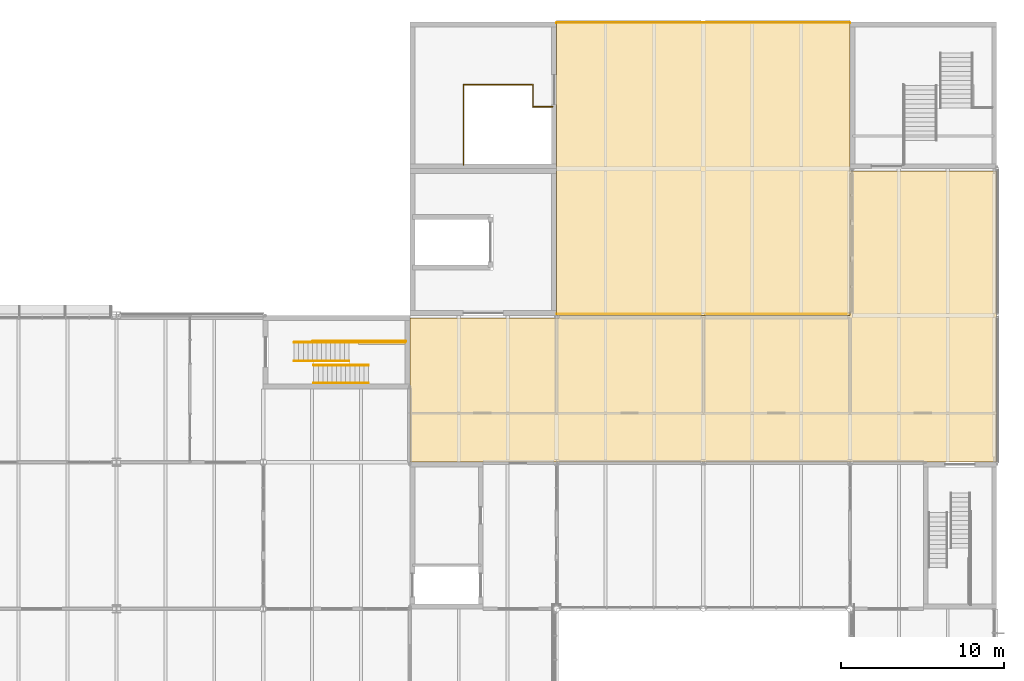
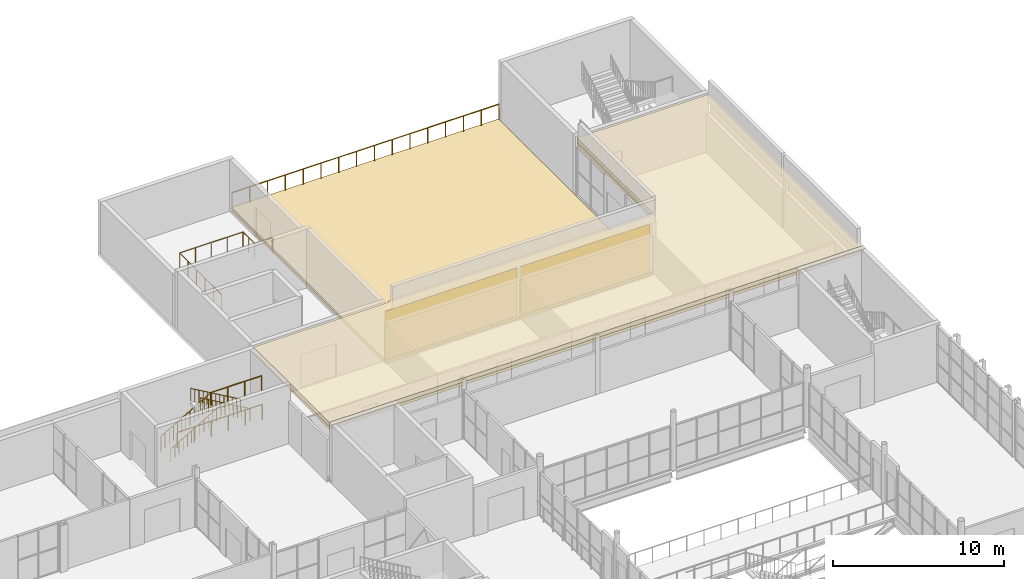
# One storey, part 60 of 61: 8 railings, 6 coverings.
"""IFC4 building model written with IfcOpenShell, lengths in metres."""

from ifc_helpers import new_model, si_unit, direction, frame, frame_2d, origin, origin_2d, place, context, subcontext, project, spatial, polyline, rectangle, circle, outline, extrude, material, layer, layer_set, type_object, element, save


model = new_model("IFC4")

# Units and contexts
model_context = context("Model", 3, precision=1e-05, world=origin(), true_north=direction((0.0, 1.0)))
body_context = subcontext(model_context, "Body", "Model", "MODEL_VIEW")
ifc_project = project(units=[si_unit("LENGTHUNIT", "METRE"), si_unit("AREAUNIT", "SQUARE_METRE"), si_unit("VOLUMEUNIT", "CUBIC_METRE"), si_unit("PLANEANGLEUNIT", "RADIAN"), si_unit("MASSUNIT", "GRAM", prefix="KILO")], contexts=[model_context])

# Site, building, storey
site_placement = place(None, origin())
site = spatial("IfcSite", under=ifc_project, at=site_placement, CompositionType="ELEMENT")
building_placement = place(site_placement, origin())
building = spatial("IfcBuilding", under=site, at=building_placement, Name="Halyard Row Museum", CompositionType="ELEMENT")
storey_placement = place(building_placement, frame((0.0, 0.0, 9.199951171875)))
storey = spatial("IfcBuildingStorey", under=building, at=storey_placement, Name="L02", CompositionType="ELEMENT", Elevation=9.199951171875)

# Railings
ifc_material_1 = material(Name="Steel Grade 300", Category="steel")
railing_type_1 = type_object("IfcRailingType", Name="Guard GR2 steel balustrade 1100", PredefinedType="GUARDRAIL", material=ifc_material_1)
railing_1_placement = place(storey_placement, frame((64.89990234375, 43.35009765625, 0.16162109375)))
element("IfcRailing", 1, at=railing_1_placement, inside=storey, type_object=railing_type_1, Name="Guard GR017", PredefinedType="GUARDRAIL", context=body_context, shape_type="SweptSolid", body=[
    extrude(circle(Radius=0.02392578125, at=origin_2d()), frame((0.0, 0.0, 1.076171875), z_axis=(0.86609757561, 0.0, 0.499874973892), x_axis=(0.0, 1.0, 0.0)), (0.0, 0.0, 1.0), 0.3232421875),
    extrude(circle(Radius=0.02392578125, at=origin_2d()), frame((0.280029296875, 0.0, 1.23779296875), z_axis=(0.866424426198, 0.0, 0.49930823515), x_axis=(0.0, 1.0, 0.0)), (0.0, 0.0, 1.0), 0.3232421875),
    extrude(circle(Radius=0.02392578125, at=origin_2d()), frame((0.56005859375, 0.0, 1.39892578125), z_axis=(0.86609757561, 0.0, 0.499874973892), x_axis=(0.0, 1.0, 0.0)), (0.0, 0.0, 1.0), 0.3232421875),
    extrude(circle(Radius=0.02392578125, at=origin_2d()), frame((0.840087890625, 0.0, 1.560546875), z_axis=(0.86609757561, 0.0, 0.499874973892), x_axis=(0.0, 1.0, 0.0)), (0.0, 0.0, 1.0), 0.3232421875),
    extrude(circle(Radius=0.02392578125, at=origin_2d()), frame((1.1201171875, 0.0, 1.72216796875), z_axis=(0.866424426198, 0.0, 0.49930823515), x_axis=(0.0, 1.0, 0.0)), (0.0, 0.0, 1.0), 0.3232421875),
    extrude(circle(Radius=0.02392578125, at=origin_2d()), frame((1.400146484375, 0.0, 1.8837890625), z_axis=(0.86609757561, 0.0, 0.499874973892), x_axis=(0.0, 1.0, 0.0)), (0.0, 0.0, 1.0), 0.3232421875),
    extrude(circle(Radius=0.02392578125, at=origin_2d()), frame((1.68017578125, 0.0, 2.04541015625), z_axis=(0.866424426198, 0.0, 0.49930823515), x_axis=(0.0, 1.0, 0.0)), (0.0, 0.0, 1.0), 0.3232421875),
    extrude(circle(Radius=0.02392578125, at=origin_2d()), frame((1.960205078125, 0.0, 2.20654296875), z_axis=(0.865908710228, 0.0, 0.500202064721), x_axis=(0.0, 1.0, 0.0)), (0.0, 0.0, 1.0), 0.322998046875),
    extrude(circle(Radius=0.02392578125, at=origin_2d()), frame((2.239990234375, 0.0, 2.3681640625), z_axis=(0.86609757561, 0.0, 0.499874973892), x_axis=(0.0, 1.0, 0.0)), (0.0, 0.0, 1.0), 0.3232421875),
    extrude(circle(Radius=0.02392578125, at=origin_2d()), frame((2.52001953125, 0.0, 2.52978515625), z_axis=(0.866424426198, 0.0, 0.49930823515), x_axis=(0.0, 1.0, 0.0)), (0.0, 0.0, 1.0), 0.3232421875),
    extrude(circle(Radius=0.02392578125, at=origin_2d()), frame((2.800048828125, 0.0, 2.69140625), z_axis=(0.86609757561, 0.0, 0.499874973892), x_axis=(0.0, 1.0, 0.0)), (0.0, 0.0, 1.0), 0.3232421875),
    extrude(circle(Radius=0.02392578125, at=origin_2d()), frame((3.080078125, 0.0, 2.85302734375), z_axis=(0.86609757561, 0.0, 0.499874973892), x_axis=(0.0, 1.0, 0.0)), (0.0, 0.0, 1.0), 0.3232421875),
    extrude(circle(Radius=0.02099609375, at=origin_2d()), origin(), (0.0, 0.0, 1.0), 1.052001953125),
    extrude(circle(Radius=0.02099609375, at=origin_2d()), frame((0.280029296875, 0.0, 0.16162109375)), (0.0, 0.0, 1.0), 1.052001953125),
    extrude(circle(Radius=0.02099609375, at=origin_2d()), frame((0.56005859375, 0.0, 0.322998046875)), (0.0, 0.0, 1.0), 1.052001953125),
    extrude(circle(Radius=0.02099609375, at=origin_2d()), frame((0.840087890625, 0.0, 0.484619140625)), (0.0, 0.0, 1.0), 1.052001953125),
    extrude(circle(Radius=0.02099609375, at=origin_2d()), frame((1.1201171875, 0.0, 0.646240234375)), (0.0, 0.0, 1.0), 1.052001953125),
    extrude(circle(Radius=0.02099609375, at=origin_2d()), frame((1.400146484375, 0.0, 0.8076171875)), (0.0, 0.0, 1.0), 1.052001953125),
    extrude(circle(Radius=0.02099609375, at=origin_2d()), frame((1.68017578125, 0.0, 0.96923828125)), (0.0, 0.0, 1.0), 1.052001953125),
    extrude(circle(Radius=0.02099609375, at=origin_2d()), frame((1.960205078125, 0.0, 1.130615234375)), (0.0, 0.0, 1.0), 1.052001953125),
    extrude(circle(Radius=0.02099609375, at=origin_2d()), frame((2.239990234375, 0.0, 1.292236328125)), (0.0, 0.0, 1.0), 1.052001953125),
    extrude(circle(Radius=0.02099609375, at=origin_2d()), frame((2.52001953125, 0.0, 1.453857421875)), (0.0, 0.0, 1.0), 1.052001953125),
    extrude(circle(Radius=0.02099609375, at=origin_2d()), frame((2.800048828125, 0.0, 1.615234375)), (0.0, 0.0, 1.0), 1.052001953125),
    extrude(circle(Radius=0.02099609375, at=origin_2d()), frame((3.080078125, 0.0, 1.77685546875)), (0.0, 0.0, 1.0), 1.052001953125),
    extrude(circle(Radius=0.02099609375, at=origin_2d()), frame((3.360107421875, 0.0, 1.9384765625)), (0.0, 0.0, 1.0), 1.052001953125),
])
railing_2_placement = place(storey_placement, frame((68.260009765625, 43.35009765625, 2.10009765625)))
element("IfcRailing", 2, at=railing_2_placement, inside=storey, type_object=railing_type_1, Name="Guard GR018", PredefinedType="GUARDRAIL", context=body_context, shape_type="SweptSolid", body=[
    extrude(circle(Radius=0.02392578125, at=origin_2d()), frame((0.0, 0.0, 1.076171875), z_axis=(1.0, 0.0, 0.0), x_axis=(0.0, 1.0, 0.0)), (0.0, 0.0, 1.0), 3.43994140625),
    extrude(circle(Radius=0.02099609375, at=origin_2d()), origin(), (0.0, 0.0, 1.0), 1.052001953125),
    extrude(circle(Radius=0.02099609375, at=origin_2d()), frame((1.146728515625, 0.0, 0.0)), (0.0, 0.0, 1.0), 1.052001953125),
    extrude(circle(Radius=0.02099609375, at=origin_2d()), frame((2.293212890625, 0.0, 0.0)), (0.0, 0.0, 1.0), 1.052001953125),
    extrude(circle(Radius=0.02099609375, at=origin_2d()), frame((3.43994140625, 0.0, 0.0)), (0.0, 0.0, 1.0), 1.052001953125),
])
railing_3_placement = place(storey_placement, frame((66.0400390625, 43.409912109375, 0.0)))
element("IfcRailing", 3, at=railing_3_placement, inside=storey, type_object=railing_type_1, Name="Guard GR144", PredefinedType="GUARDRAIL", context=body_context, shape_type="SweptSolid", body=[
    extrude(circle(Radius=0.02392578125, at=origin_2d()), frame((0.0, 0.0, 1.076171875), z_axis=(1.0, 0.0, 0.0), x_axis=(0.0, 1.0, 0.0)), (0.0, 0.0, 1.0), 5.719970703125),
    extrude(circle(Radius=0.02099609375, at=origin_2d()), origin(), (0.0, 0.0, 1.0), 1.052001953125),
    extrude(circle(Radius=0.02099609375, at=origin_2d()), frame((1.14404296875, 0.0, 0.0)), (0.0, 0.0, 1.0), 1.052001953125),
    extrude(circle(Radius=0.02099609375, at=origin_2d()), frame((2.2880859375, 0.0, 0.0)), (0.0, 0.0, 1.0), 1.052001953125),
    extrude(circle(Radius=0.02099609375, at=origin_2d()), frame((3.431884765625, 0.0, 0.0)), (0.0, 0.0, 1.0), 1.052001953125),
    extrude(circle(Radius=0.02099609375, at=origin_2d()), frame((4.575927734375, 0.0, 0.0)), (0.0, 0.0, 1.0), 1.052001953125),
    extrude(circle(Radius=0.02099609375, at=origin_2d()), frame((5.719970703125, 0.0, 0.0)), (0.0, 0.0, 1.0), 1.052001953125),
])
railing_4_placement = place(storey_placement, frame((75.2900390625, 54.239990234375, 0.0)))
element("IfcRailing", 4, at=railing_4_placement, inside=storey, type_object=railing_type_1, Name="Guard GR183", PredefinedType="GUARDRAIL", context=body_context, shape_type="SweptSolid", body=[
    extrude(circle(Radius=0.02392578125, at=origin_2d()), frame((0.0, 0.0, 1.076171875), z_axis=(0.0, 1.0, 0.0), x_axis=(-1.0, 0.0, 0.0)), (0.0, 0.0, 1.0), 4.919921875),
    extrude(circle(Radius=0.02392578125, at=origin_2d()), frame((0.0, 4.919921875, 1.076171875), z_axis=(1.0, 0.0, 0.0), x_axis=(0.0, 1.0, 0.0)), (0.0, 0.0, 1.0), 4.27001953125),
    extrude(circle(Radius=0.02392578125, at=origin_2d()), frame((4.27001953125, 4.919921875, 1.076171875), z_axis=(0.0, -1.0, 0.0), x_axis=(1.0, 0.0, 0.0)), (0.0, 0.0, 1.0), 1.35986328125),
    extrude(circle(Radius=0.02392578125, at=origin_2d()), frame((4.27001953125, 3.56005859375, 1.076171875), z_axis=(1.0, 0.0, 0.0), x_axis=(0.0, 1.0, 0.0)), (0.0, 0.0, 1.0), 1.199951171875),
    extrude(circle(Radius=0.02099609375, at=origin_2d()), origin(), (0.0, 0.0, 1.0), 1.052001953125),
    extrude(circle(Radius=0.02099609375, at=origin_2d()), frame((0.0, 0.98388671875, 0.0)), (0.0, 0.0, 1.0), 1.052001953125),
    extrude(circle(Radius=0.02099609375, at=origin_2d()), frame((0.0, 1.968017578125, 0.0)), (0.0, 0.0, 1.0), 1.052001953125),
    extrude(circle(Radius=0.02099609375, at=origin_2d()), frame((0.0, 2.951904296875, 0.0)), (0.0, 0.0, 1.0), 1.052001953125),
    extrude(circle(Radius=0.02099609375, at=origin_2d()), frame((0.0, 3.93603515625, 0.0)), (0.0, 0.0, 1.0), 1.052001953125),
    extrude(circle(Radius=0.02099609375, at=origin_2d()), frame((0.0, 4.919921875, 0.0)), (0.0, 0.0, 1.0), 1.052001953125),
    extrude(circle(Radius=0.02099609375, at=origin_2d()), frame((1.0673828125, 4.919921875, 0.0)), (0.0, 0.0, 1.0), 1.052001953125),
    extrude(circle(Radius=0.02099609375, at=origin_2d()), frame((2.135009765625, 4.919921875, 0.0)), (0.0, 0.0, 1.0), 1.052001953125),
    extrude(circle(Radius=0.02099609375, at=origin_2d()), frame((3.20263671875, 4.919921875, 0.0)), (0.0, 0.0, 1.0), 1.052001953125),
    extrude(circle(Radius=0.02099609375, at=origin_2d()), frame((4.27001953125, 4.919921875, 0.0)), (0.0, 0.0, 1.0), 1.052001953125),
    extrude(circle(Radius=0.02099609375, at=origin_2d()), frame((4.27001953125, 4.239990234375, 0.0)), (0.0, 0.0, 1.0), 1.052001953125),
    extrude(circle(Radius=0.02099609375, at=origin_2d()), frame((4.27001953125, 3.56005859375, 0.0)), (0.0, 0.0, 1.0), 1.052001953125),
    extrude(circle(Radius=0.02099609375, at=origin_2d()), frame((5.469970703125, 3.56005859375, 0.0)), (0.0, 0.0, 1.0), 1.052001953125),
])
ifc_material_2 = material(Name="Steel Grade 300", Category="steel")
railing_type_2 = type_object("IfcRailingType", Name="Handrail HR2 steel 900", PredefinedType="HANDRAIL", material=ifc_material_2)
railing_5_placement = place(storey_placement, frame((64.89990234375, 42.199951171875, 0.16162109375)))
element("IfcRailing", 5, at=railing_5_placement, inside=storey, type_object=railing_type_2, Name="Handrail HR025", PredefinedType="HANDRAIL", context=body_context, shape_type="SweptSolid", body=[
    extrude(circle(Radius=0.02392578125, at=origin_2d()), frame((0.0, 0.0, 0.8759765625), z_axis=(0.86609757561, 0.0, 0.499874973892), x_axis=(0.0, 1.0, 0.0)), (0.0, 0.0, 1.0), 0.3232421875),
    extrude(circle(Radius=0.02392578125, at=origin_2d()), frame((0.280029296875, 0.0, 1.03759765625), z_axis=(0.866424426198, 0.0, 0.49930823515), x_axis=(0.0, 1.0, 0.0)), (0.0, 0.0, 1.0), 0.3232421875),
    extrude(circle(Radius=0.02392578125, at=origin_2d()), frame((0.56005859375, 0.0, 1.19873046875), z_axis=(0.86609757561, 0.0, 0.499874973892), x_axis=(0.0, 1.0, 0.0)), (0.0, 0.0, 1.0), 0.3232421875),
    extrude(circle(Radius=0.02392578125, at=origin_2d()), frame((0.840087890625, 0.0, 1.3603515625), z_axis=(0.86609757561, 0.0, 0.499874973892), x_axis=(0.0, 1.0, 0.0)), (0.0, 0.0, 1.0), 0.3232421875),
    extrude(circle(Radius=0.02392578125, at=origin_2d()), frame((1.1201171875, 0.0, 1.52197265625), z_axis=(0.866424426198, 0.0, 0.49930823515), x_axis=(0.0, 1.0, 0.0)), (0.0, 0.0, 1.0), 0.3232421875),
    extrude(circle(Radius=0.02392578125, at=origin_2d()), frame((1.400146484375, 0.0, 1.68359375), z_axis=(0.86609757561, 0.0, 0.499874973892), x_axis=(0.0, 1.0, 0.0)), (0.0, 0.0, 1.0), 0.3232421875),
    extrude(circle(Radius=0.02392578125, at=origin_2d()), frame((1.68017578125, 0.0, 1.84521484375), z_axis=(0.866424426198, 0.0, 0.49930823515), x_axis=(0.0, 1.0, 0.0)), (0.0, 0.0, 1.0), 0.3232421875),
    extrude(circle(Radius=0.02392578125, at=origin_2d()), frame((1.960205078125, 0.0, 2.00634765625), z_axis=(0.865908710228, 0.0, 0.500202064721), x_axis=(0.0, 1.0, 0.0)), (0.0, 0.0, 1.0), 0.322998046875),
    extrude(circle(Radius=0.02392578125, at=origin_2d()), frame((2.239990234375, 0.0, 2.16796875), z_axis=(0.86609757561, 0.0, 0.499874973892), x_axis=(0.0, 1.0, 0.0)), (0.0, 0.0, 1.0), 0.3232421875),
    extrude(circle(Radius=0.02392578125, at=origin_2d()), frame((2.52001953125, 0.0, 2.32958984375), z_axis=(0.866424426198, 0.0, 0.49930823515), x_axis=(0.0, 1.0, 0.0)), (0.0, 0.0, 1.0), 0.3232421875),
    extrude(circle(Radius=0.02392578125, at=origin_2d()), frame((2.800048828125, 0.0, 2.4912109375), z_axis=(0.86609757561, 0.0, 0.499874973892), x_axis=(0.0, 1.0, 0.0)), (0.0, 0.0, 1.0), 0.3232421875),
    extrude(circle(Radius=0.02392578125, at=origin_2d()), frame((3.080078125, 0.0, 2.65283203125), z_axis=(0.86609757561, 0.0, 0.499874973892), x_axis=(0.0, 1.0, 0.0)), (0.0, 0.0, 1.0), 0.3232421875),
    extrude(circle(Radius=0.02099609375, at=origin_2d()), origin(), (0.0, 0.0, 1.0), 0.851806640625),
    extrude(circle(Radius=0.02099609375, at=origin_2d()), frame((0.280029296875, 0.0, 0.16162109375)), (0.0, 0.0, 1.0), 0.851806640625),
    extrude(circle(Radius=0.02099609375, at=origin_2d()), frame((0.56005859375, 0.0, 0.322998046875)), (0.0, 0.0, 1.0), 0.851806640625),
    extrude(circle(Radius=0.02099609375, at=origin_2d()), frame((0.840087890625, 0.0, 0.484619140625)), (0.0, 0.0, 1.0), 0.851806640625),
    extrude(circle(Radius=0.02099609375, at=origin_2d()), frame((1.1201171875, 0.0, 0.646240234375)), (0.0, 0.0, 1.0), 0.851806640625),
    extrude(circle(Radius=0.02099609375, at=origin_2d()), frame((1.400146484375, 0.0, 0.8076171875)), (0.0, 0.0, 1.0), 0.851806640625),
    extrude(circle(Radius=0.02099609375, at=origin_2d()), frame((1.68017578125, 0.0, 0.96923828125)), (0.0, 0.0, 1.0), 0.851806640625),
    extrude(circle(Radius=0.02099609375, at=origin_2d()), frame((1.960205078125, 0.0, 1.130615234375)), (0.0, 0.0, 1.0), 0.851806640625),
    extrude(circle(Radius=0.02099609375, at=origin_2d()), frame((2.239990234375, 0.0, 1.292236328125)), (0.0, 0.0, 1.0), 0.851806640625),
    extrude(circle(Radius=0.02099609375, at=origin_2d()), frame((2.52001953125, 0.0, 1.453857421875)), (0.0, 0.0, 1.0), 0.851806640625),
    extrude(circle(Radius=0.02099609375, at=origin_2d()), frame((2.800048828125, 0.0, 1.615234375)), (0.0, 0.0, 1.0), 0.851806640625),
    extrude(circle(Radius=0.02099609375, at=origin_2d()), frame((3.080078125, 0.0, 1.77685546875)), (0.0, 0.0, 1.0), 0.851806640625),
    extrude(circle(Radius=0.02099609375, at=origin_2d()), frame((3.360107421875, 0.0, 1.9384765625)), (0.0, 0.0, 1.0), 0.851806640625),
])
railing_6_placement = place(storey_placement, frame((69.4599609375, 40.85009765625, 2.261474609375)))
element("IfcRailing", 6, at=railing_6_placement, inside=storey, type_object=railing_type_2, Name="Handrail HR026", PredefinedType="HANDRAIL", context=body_context, shape_type="SweptSolid", body=[
    extrude(circle(Radius=0.02392578125, at=origin_2d()), frame((0.0, 0.0, 0.8759765625), z_axis=(-0.86609757561, 0.0, 0.499874973892), x_axis=(0.0, -1.0, 0.0)), (0.0, 0.0, 1.0), 0.3232421875),
    extrude(circle(Radius=0.02392578125, at=origin_2d()), frame((-0.280029296875, 0.0, 1.03759765625), z_axis=(-0.86609757561, 0.0, 0.499874973892), x_axis=(0.0, -1.0, 0.0)), (0.0, 0.0, 1.0), 0.3232421875),
    extrude(circle(Radius=0.02392578125, at=origin_2d()), frame((-0.56005859375, 0.0, 1.19921875), z_axis=(-0.866235917577, 0.0, 0.499635202023), x_axis=(0.0, -1.0, 0.0)), (0.0, 0.0, 1.0), 0.322998046875),
    extrude(circle(Radius=0.02392578125, at=origin_2d()), frame((-0.83984375, 0.0, 1.3603515625), z_axis=(-0.86609757561, 0.0, 0.499874973892), x_axis=(0.0, -1.0, 0.0)), (0.0, 0.0, 1.0), 0.3232421875),
    extrude(circle(Radius=0.02392578125, at=origin_2d()), frame((-1.119873046875, 0.0, 1.52197265625), z_axis=(-0.86609757561, 0.0, 0.499874973892), x_axis=(0.0, -1.0, 0.0)), (0.0, 0.0, 1.0), 0.3232421875),
    extrude(circle(Radius=0.02392578125, at=origin_2d()), frame((-1.39990234375, 0.0, 1.68359375), z_axis=(-0.866424426198, 0.0, 0.49930823515), x_axis=(0.0, -1.0, 0.0)), (0.0, 0.0, 1.0), 0.3232421875),
    extrude(circle(Radius=0.02392578125, at=origin_2d()), frame((-1.679931640625, 0.0, 1.84521484375), z_axis=(-0.86609757561, 0.0, 0.499874973892), x_axis=(0.0, -1.0, 0.0)), (0.0, 0.0, 1.0), 0.3232421875),
    extrude(circle(Radius=0.02392578125, at=origin_2d()), frame((-1.9599609375, 0.0, 2.0068359375), z_axis=(-0.86609757561, 0.0, 0.499874973892), x_axis=(0.0, -1.0, 0.0)), (0.0, 0.0, 1.0), 0.3232421875),
    extrude(circle(Radius=0.02392578125, at=origin_2d()), frame((-2.239990234375, 0.0, 2.16845703125), z_axis=(-0.866424426198, 0.0, 0.49930823515), x_axis=(0.0, -1.0, 0.0)), (0.0, 0.0, 1.0), 0.3232421875),
    extrude(circle(Radius=0.02392578125, at=origin_2d()), frame((-2.52001953125, 0.0, 2.32958984375), z_axis=(-0.86609757561, 0.0, 0.499874973892), x_axis=(0.0, -1.0, 0.0)), (0.0, 0.0, 1.0), 0.3232421875),
    extrude(circle(Radius=0.02392578125, at=origin_2d()), frame((-2.800048828125, 0.0, 2.4912109375), z_axis=(-0.86609757561, 0.0, 0.499874973892), x_axis=(0.0, -1.0, 0.0)), (0.0, 0.0, 1.0), 0.3232421875),
    extrude(circle(Radius=0.02392578125, at=origin_2d()), frame((-3.080078125, 0.0, 2.65283203125), z_axis=(-0.866235917577, 0.0, 0.499635202023), x_axis=(0.0, -1.0, 0.0)), (0.0, 0.0, 1.0), 0.322998046875),
    extrude(circle(Radius=0.02099609375, at=origin_2d()), origin(), (0.0, 0.0, 1.0), 0.851806640625),
    extrude(circle(Radius=0.02099609375, at=origin_2d()), frame((-0.280029296875, 0.0, 0.16162109375)), (0.0, 0.0, 1.0), 0.851806640625),
    extrude(circle(Radius=0.02099609375, at=origin_2d()), frame((-0.56005859375, 0.0, 0.3232421875)), (0.0, 0.0, 1.0), 0.851806640625),
    extrude(circle(Radius=0.02099609375, at=origin_2d()), frame((-0.83984375, 0.0, 0.484619140625)), (0.0, 0.0, 1.0), 0.851806640625),
    extrude(circle(Radius=0.02099609375, at=origin_2d()), frame((-1.119873046875, 0.0, 0.646240234375)), (0.0, 0.0, 1.0), 0.851806640625),
    extrude(circle(Radius=0.02099609375, at=origin_2d()), frame((-1.39990234375, 0.0, 0.807861328125)), (0.0, 0.0, 1.0), 0.851806640625),
    extrude(circle(Radius=0.02099609375, at=origin_2d()), frame((-1.679931640625, 0.0, 0.96923828125)), (0.0, 0.0, 1.0), 0.851806640625),
    extrude(circle(Radius=0.02099609375, at=origin_2d()), frame((-1.9599609375, 0.0, 1.130859375)), (0.0, 0.0, 1.0), 0.851806640625),
    extrude(circle(Radius=0.02099609375, at=origin_2d()), frame((-2.239990234375, 0.0, 1.29248046875)), (0.0, 0.0, 1.0), 0.851806640625),
    extrude(circle(Radius=0.02099609375, at=origin_2d()), frame((-2.52001953125, 0.0, 1.453857421875)), (0.0, 0.0, 1.0), 0.851806640625),
    extrude(circle(Radius=0.02099609375, at=origin_2d()), frame((-2.800048828125, 0.0, 1.615478515625)), (0.0, 0.0, 1.0), 0.851806640625),
    extrude(circle(Radius=0.02099609375, at=origin_2d()), frame((-3.080078125, 0.0, 1.777099609375)), (0.0, 0.0, 1.0), 0.851806640625),
    extrude(circle(Radius=0.02099609375, at=origin_2d()), frame((-3.35986328125, 0.0, 1.9384765625)), (0.0, 0.0, 1.0), 0.851806640625),
])
railing_7_placement = place(storey_placement, frame((69.4599609375, 41.949951171875, 2.261474609375)))
element("IfcRailing", 7, at=railing_7_placement, inside=storey, type_object=railing_type_2, Name="Handrail HR027", PredefinedType="HANDRAIL", context=body_context, shape_type="SweptSolid", body=[
    extrude(circle(Radius=0.02392578125, at=origin_2d()), frame((0.0, 0.0, 0.8759765625), z_axis=(-0.86609757561, 0.0, 0.499874973892), x_axis=(0.0, -1.0, 0.0)), (0.0, 0.0, 1.0), 0.3232421875),
    extrude(circle(Radius=0.02392578125, at=origin_2d()), frame((-0.280029296875, 0.0, 1.03759765625), z_axis=(-0.86609757561, 0.0, 0.499874973892), x_axis=(0.0, -1.0, 0.0)), (0.0, 0.0, 1.0), 0.3232421875),
    extrude(circle(Radius=0.02392578125, at=origin_2d()), frame((-0.56005859375, 0.0, 1.19921875), z_axis=(-0.866235917577, 0.0, 0.499635202023), x_axis=(0.0, -1.0, 0.0)), (0.0, 0.0, 1.0), 0.322998046875),
    extrude(circle(Radius=0.02392578125, at=origin_2d()), frame((-0.83984375, 0.0, 1.3603515625), z_axis=(-0.86609757561, 0.0, 0.499874973892), x_axis=(0.0, -1.0, 0.0)), (0.0, 0.0, 1.0), 0.3232421875),
    extrude(circle(Radius=0.02392578125, at=origin_2d()), frame((-1.119873046875, 0.0, 1.52197265625), z_axis=(-0.86609757561, 0.0, 0.499874973892), x_axis=(0.0, -1.0, 0.0)), (0.0, 0.0, 1.0), 0.3232421875),
    extrude(circle(Radius=0.02392578125, at=origin_2d()), frame((-1.39990234375, 0.0, 1.68359375), z_axis=(-0.866424426198, 0.0, 0.49930823515), x_axis=(0.0, -1.0, 0.0)), (0.0, 0.0, 1.0), 0.3232421875),
    extrude(circle(Radius=0.02392578125, at=origin_2d()), frame((-1.679931640625, 0.0, 1.84521484375), z_axis=(-0.86609757561, 0.0, 0.499874973892), x_axis=(0.0, -1.0, 0.0)), (0.0, 0.0, 1.0), 0.3232421875),
    extrude(circle(Radius=0.02392578125, at=origin_2d()), frame((-1.9599609375, 0.0, 2.0068359375), z_axis=(-0.86609757561, 0.0, 0.499874973892), x_axis=(0.0, -1.0, 0.0)), (0.0, 0.0, 1.0), 0.3232421875),
    extrude(circle(Radius=0.02392578125, at=origin_2d()), frame((-2.239990234375, 0.0, 2.16845703125), z_axis=(-0.866424426198, 0.0, 0.49930823515), x_axis=(0.0, -1.0, 0.0)), (0.0, 0.0, 1.0), 0.3232421875),
    extrude(circle(Radius=0.02392578125, at=origin_2d()), frame((-2.52001953125, 0.0, 2.32958984375), z_axis=(-0.86609757561, 0.0, 0.499874973892), x_axis=(0.0, -1.0, 0.0)), (0.0, 0.0, 1.0), 0.3232421875),
    extrude(circle(Radius=0.02392578125, at=origin_2d()), frame((-2.800048828125, 0.0, 2.4912109375), z_axis=(-0.86609757561, 0.0, 0.499874973892), x_axis=(0.0, -1.0, 0.0)), (0.0, 0.0, 1.0), 0.3232421875),
    extrude(circle(Radius=0.02392578125, at=origin_2d()), frame((-3.080078125, 0.0, 2.65283203125), z_axis=(-0.866235917577, 0.0, 0.499635202023), x_axis=(0.0, -1.0, 0.0)), (0.0, 0.0, 1.0), 0.322998046875),
    extrude(circle(Radius=0.02099609375, at=origin_2d()), origin(), (0.0, 0.0, 1.0), 0.851806640625),
    extrude(circle(Radius=0.02099609375, at=origin_2d()), frame((-0.280029296875, 0.0, 0.16162109375)), (0.0, 0.0, 1.0), 0.851806640625),
    extrude(circle(Radius=0.02099609375, at=origin_2d()), frame((-0.56005859375, 0.0, 0.3232421875)), (0.0, 0.0, 1.0), 0.851806640625),
    extrude(circle(Radius=0.02099609375, at=origin_2d()), frame((-0.83984375, 0.0, 0.484619140625)), (0.0, 0.0, 1.0), 0.851806640625),
    extrude(circle(Radius=0.02099609375, at=origin_2d()), frame((-1.119873046875, 0.0, 0.646240234375)), (0.0, 0.0, 1.0), 0.851806640625),
    extrude(circle(Radius=0.02099609375, at=origin_2d()), frame((-1.39990234375, 0.0, 0.807861328125)), (0.0, 0.0, 1.0), 0.851806640625),
    extrude(circle(Radius=0.02099609375, at=origin_2d()), frame((-1.679931640625, 0.0, 0.96923828125)), (0.0, 0.0, 1.0), 0.851806640625),
    extrude(circle(Radius=0.02099609375, at=origin_2d()), frame((-1.9599609375, 0.0, 1.130859375)), (0.0, 0.0, 1.0), 0.851806640625),
    extrude(circle(Radius=0.02099609375, at=origin_2d()), frame((-2.239990234375, 0.0, 1.29248046875)), (0.0, 0.0, 1.0), 0.851806640625),
    extrude(circle(Radius=0.02099609375, at=origin_2d()), frame((-2.52001953125, 0.0, 1.453857421875)), (0.0, 0.0, 1.0), 0.851806640625),
    extrude(circle(Radius=0.02099609375, at=origin_2d()), frame((-2.800048828125, 0.0, 1.615478515625)), (0.0, 0.0, 1.0), 0.851806640625),
    extrude(circle(Radius=0.02099609375, at=origin_2d()), frame((-3.080078125, 0.0, 1.777099609375)), (0.0, 0.0, 1.0), 0.851806640625),
    extrude(circle(Radius=0.02099609375, at=origin_2d()), frame((-3.35986328125, 0.0, 1.9384765625)), (0.0, 0.0, 1.0), 0.851806640625),
])

# Coverings
ifc_material_3 = material(Name="Extensive green roof build-up, growing medium and drainage layer", Category="general")
ifc_layer_1 = layer(ifc_material_3, 0.300048828125)
ifc_layer_set_1 = layer_set([ifc_layer_1], Name="Extensive green roof build-up, growing medium and drainage layer")
covering_type_1 = type_object("IfcCoveringType", Name="Roof garden growing medium and pavers 300", PredefinedType="FLOORING", material=ifc_layer_set_1)
covering_1_placement = place(storey_placement, frame((0.0, 0.0, 3.900146484375)))
element("IfcCovering", 8, at=covering_1_placement, inside=storey, type_object=covering_type_1, Name="Roof garden build-up", PredefinedType="FLOORING", context=body_context, shape_type="SweptSolid", body=[
    extrude(outline(polyline([(81.14990234375, 44.85009765625), (81.14990234375, 45.0), (99.0, 45.0), (99.0, 53.85009765625), (108.0, 53.85009765625), (108.0, 45.0), (108.0, 36.0), (72.0, 36.0), (72.0, 44.85009765625), (81.14990234375, 44.85009765625)])), origin(), (0.0, 0.0, 1.0), 0.2998046875),
])
ifc_material_4 = material(Name="Single-ply roofing membrane on insulation", Category="general")
ifc_layer_2 = layer(ifc_material_4, 0.199951171875)
ifc_layer_set_2 = layer_set([ifc_layer_2], Name="Single-ply roofing membrane on insulation")
covering_type_2 = type_object("IfcCoveringType", Name="Roof garden waterproofing and drainage 200", PredefinedType="ROOFING", material=ifc_layer_set_2)
covering_2_placement = place(storey_placement, frame((0.0, 0.0, 3.699951171875)))
element("IfcCovering", 9, at=covering_2_placement, inside=storey, type_object=covering_type_2, Name="Roof garden build-up", PredefinedType="ROOFING", context=body_context, shape_type="SweptSolid", body=[
    extrude(outline(polyline([(81.14990234375, 44.85009765625), (81.14990234375, 45.0), (99.0, 45.0), (99.0, 53.85009765625), (108.0, 53.85009765625), (108.0, 45.0), (108.0, 36.0), (72.0, 36.0), (72.0, 44.85009765625), (81.14990234375, 44.85009765625)])), origin(), (0.0, 0.0, 1.0), 0.2001953125),
])

# Railing
ifc_material_5 = material(Name="Steel Grade 300", Category="steel")
railing_type_3 = type_object("IfcRailingType", Name="Terrace guard 1100 steel balustrade", PredefinedType="GUARDRAIL", material=ifc_material_5)
railing_8_placement = place(storey_placement, frame((81.0, 62.949951171875, 0.0)))
element("IfcRailing", 10, at=railing_8_placement, inside=storey, type_object=railing_type_3, Name="Staff terrace guard", PredefinedType="GUARDRAIL", context=body_context, shape_type="SweptSolid", body=[
    extrude(circle(Radius=0.02392578125, at=origin_2d()), frame((0.0, 0.0, 1.076171875), z_axis=(1.0, 0.0, 0.0), x_axis=(0.0, 1.0, 0.0)), (0.0, 0.0, 1.0), 18.0),
    extrude(circle(Radius=0.02099609375, at=origin_2d()), origin(), (0.0, 0.0, 1.0), 1.052001953125),
    extrude(circle(Radius=0.02099609375, at=origin_2d()), frame((1.199951171875, 0.0, 0.0)), (0.0, 0.0, 1.0), 1.052001953125),
    extrude(circle(Radius=0.02099609375, at=origin_2d()), frame((2.39990234375, 0.0, 0.0)), (0.0, 0.0, 1.0), 1.052001953125),
    extrude(circle(Radius=0.02099609375, at=origin_2d()), frame((3.60009765625, 0.0, 0.0)), (0.0, 0.0, 1.0), 1.052001953125),
    extrude(circle(Radius=0.02099609375, at=origin_2d()), frame((4.800048828125, 0.0, 0.0)), (0.0, 0.0, 1.0), 1.052001953125),
    extrude(circle(Radius=0.02099609375, at=origin_2d()), frame((6.0, 0.0, 0.0)), (0.0, 0.0, 1.0), 1.052001953125),
    extrude(circle(Radius=0.02099609375, at=origin_2d()), frame((7.199951171875, 0.0, 0.0)), (0.0, 0.0, 1.0), 1.052001953125),
    extrude(circle(Radius=0.02099609375, at=origin_2d()), frame((8.39990234375, 0.0, 0.0)), (0.0, 0.0, 1.0), 1.052001953125),
    extrude(circle(Radius=0.02099609375, at=origin_2d()), frame((9.60009765625, 0.0, 0.0)), (0.0, 0.0, 1.0), 1.052001953125),
    extrude(circle(Radius=0.02099609375, at=origin_2d()), frame((10.800048828125, 0.0, 0.0)), (0.0, 0.0, 1.0), 1.052001953125),
    extrude(circle(Radius=0.02099609375, at=origin_2d()), frame((12.0, 0.0, 0.0)), (0.0, 0.0, 1.0), 1.052001953125),
    extrude(circle(Radius=0.02099609375, at=origin_2d()), frame((13.199951171875, 0.0, 0.0)), (0.0, 0.0, 1.0), 1.052001953125),
    extrude(circle(Radius=0.02099609375, at=origin_2d()), frame((14.39990234375, 0.0, 0.0)), (0.0, 0.0, 1.0), 1.052001953125),
    extrude(circle(Radius=0.02099609375, at=origin_2d()), frame((15.60009765625, 0.0, 0.0)), (0.0, 0.0, 1.0), 1.052001953125),
    extrude(circle(Radius=0.02099609375, at=origin_2d()), frame((16.800048828125, 0.0, 0.0)), (0.0, 0.0, 1.0), 1.052001953125),
    extrude(circle(Radius=0.02099609375, at=origin_2d()), frame((18.0, 0.0, 0.0)), (0.0, 0.0, 1.0), 1.052001953125),
])

# Coverings
ifc_material_6 = material(Name="Concrete pavers on pedestals", Category="concrete")
ifc_layer_3 = layer(ifc_material_6, 0.14990234375)
ifc_layer_set_3 = layer_set([ifc_layer_3], Name="Concrete pavers on pedestals")
covering_type_3 = type_object("IfcCoveringType", Name="Terrace pavers 150", PredefinedType="FLOORING", material=ifc_layer_set_3)
covering_3_placement = place(storey_placement, frame((0.0, 0.0, -0.14990234375)))
element("IfcCovering", 11, at=covering_3_placement, inside=storey, type_object=covering_type_3, Name="Staff terrace build-up", PredefinedType="FLOORING", context=body_context, shape_type="SweptSolid", body=[
    extrude(outline(polyline([(81.0, 45.0), (99.0, 45.0), (99.0, 63.0), (81.0, 63.0), (81.0, 45.0)])), origin(), (0.0, 0.0, 1.0), 0.14990234375),
])
ifc_material_7 = material(Name="Single-ply roofing membrane on insulation", Category="general")
ifc_layer_4 = layer(ifc_material_7, 0.14990234375)
ifc_layer_set_4 = layer_set([ifc_layer_4], Name="Single-ply roofing membrane on insulation")
covering_type_4 = type_object("IfcCoveringType", Name="Terrace waterproofing and screed 150", PredefinedType="ROOFING", material=ifc_layer_set_4)
covering_4_placement = place(storey_placement, frame((0.0, 0.0, -0.300048828125)))
element("IfcCovering", 12, at=covering_4_placement, inside=storey, type_object=covering_type_4, Name="Staff terrace build-up", PredefinedType="ROOFING", context=body_context, shape_type="SweptSolid", body=[
    extrude(outline(polyline([(81.0, 45.0), (99.0, 45.0), (99.0, 63.0), (81.0, 63.0), (81.0, 45.0)])), origin(), (0.0, 0.0, 1.0), 0.150146484375),
])
ifc_material_8 = material(Name="Pre-weathered zinc standing-seam cladding", Category="metal")
ifc_layer_5 = layer(ifc_material_8, 0.0400390625)
ifc_layer_set_5 = layer_set([ifc_layer_5], Name="Pre-weathered zinc standing-seam cladding")
covering_type_5 = type_object("IfcCoveringType", Name="Zinc standing-seam cladding 40", PredefinedType="CLADDING", material=ifc_layer_set_5)
covering_5_placement = place(storey_placement, frame((98.85009765625, 45.080078125, 0.0), z_axis=(0.0, 0.0, 1.0), x_axis=(-1.0, 0.0, 0.0)))
element("IfcCovering", 13, at=covering_5_placement, inside=storey, type_object=covering_type_5, Name="Cladding CLL02-003", PredefinedType="CLADDING", context=body_context, shape_type="SweptSolid", body=[
    extrude(rectangle(XDim=8.72509765625, YDim=0.0400390625, at=frame_2d((4.362548828125, 0.0))), origin(), (0.0, 0.0, 1.0), 3.449951171875),
])
covering_6_placement = place(storey_placement, frame((89.875, 45.080078125, 0.0), z_axis=(0.0, 0.0, 1.0), x_axis=(-1.0, 0.0, 0.0)))
element("IfcCovering", 14, at=covering_6_placement, inside=storey, type_object=covering_type_5, Name="Cladding CLL02-004", PredefinedType="CLADDING", context=body_context, shape_type="SweptSolid", body=[
    extrude(rectangle(XDim=8.875, YDim=0.0400390625, at=frame_2d((4.4375, 0.0))), origin(), (0.0, 0.0, 1.0), 3.449951171875),
])

save(model, "model.ifc")
